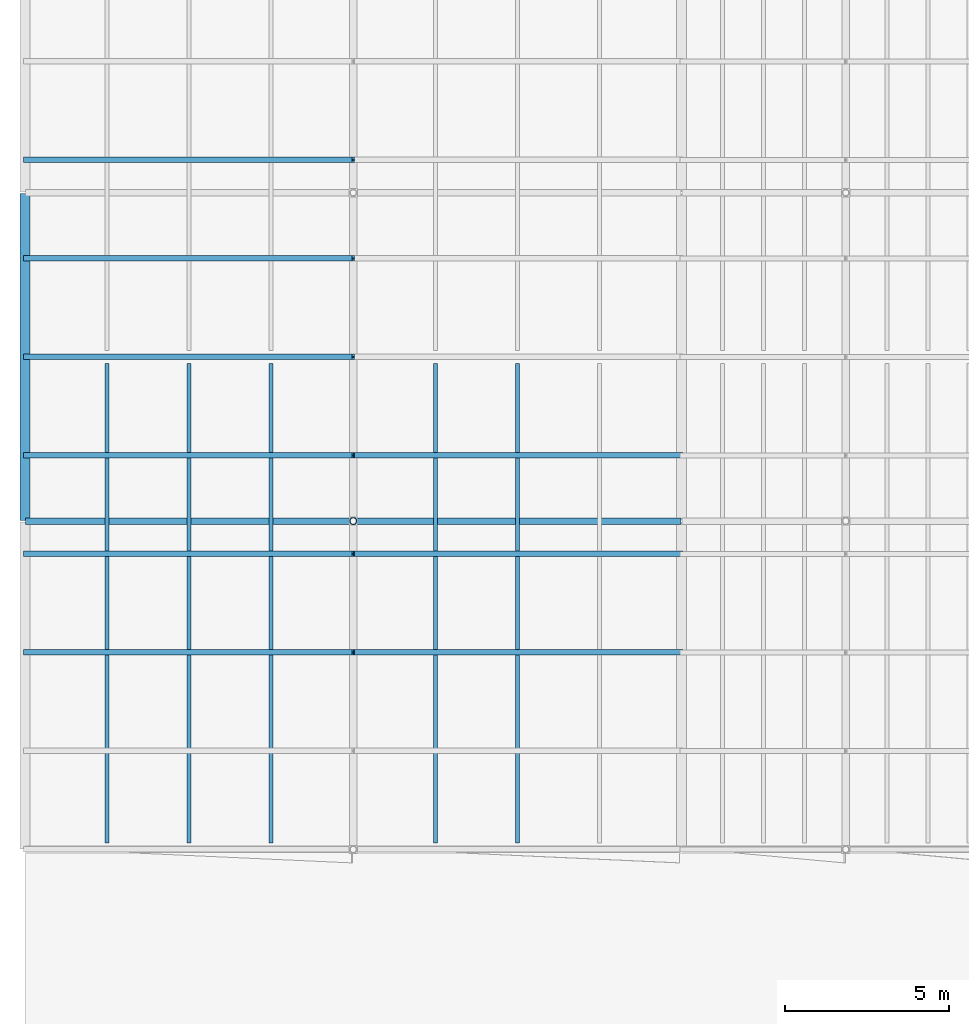
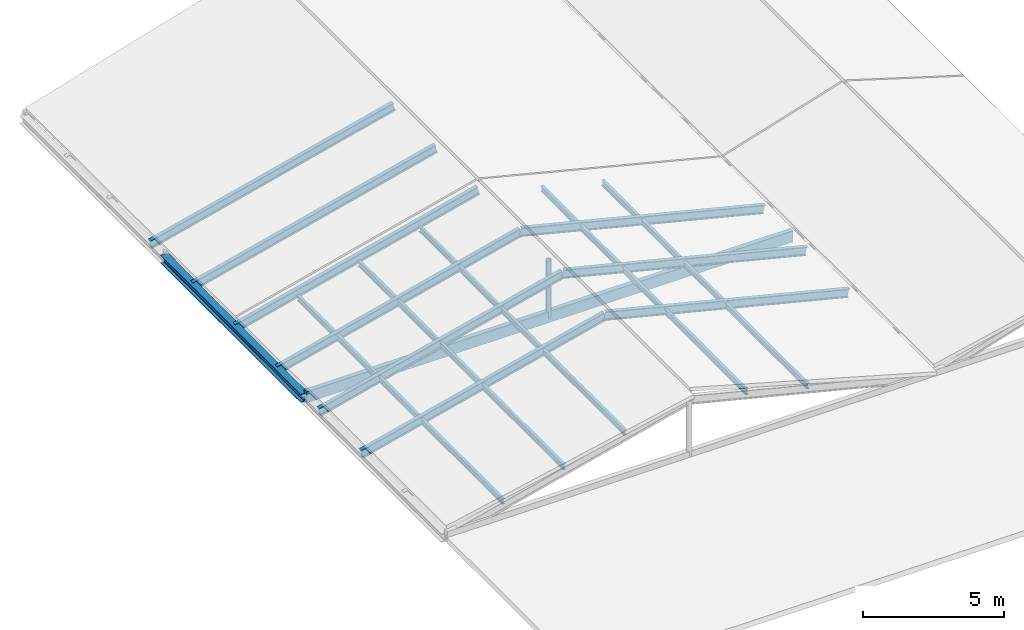
# One storey, part 2 of 90: 15 members, 2 beams.
"""IFC4 building model written with IfcOpenShell, lengths in metres."""

from ifc_helpers import new_model, si_unit, direction, frame, origin, origin_2d, place, context, subcontext, project, spatial, rectangle, hollow_circle, i_section, extrude, material, material_profile, profile_set, type_object, element, save


model = new_model("IFC4")

# Units and contexts
model_context = context("Model", 3, precision=1e-05, world=origin(), true_north=direction((0.0, 1.0)))
body_context = subcontext(model_context, "Body", "Model", "MODEL_VIEW")
ifc_project = project(units=[si_unit("LENGTHUNIT", "METRE"), si_unit("AREAUNIT", "SQUARE_METRE"), si_unit("VOLUMEUNIT", "CUBIC_METRE"), si_unit("PLANEANGLEUNIT", "RADIAN"), si_unit("MASSUNIT", "GRAM", prefix="KILO"), si_unit("THERMODYNAMICTEMPERATUREUNIT", "KELVIN"), si_unit("POWERUNIT", "WATT")], contexts=[model_context])

# Site, building, storey
site_placement = place(None, origin())
site = spatial("IfcSite", under=ifc_project, at=site_placement, CompositionType="ELEMENT")
building_placement = place(site_placement, origin())
building = spatial("IfcBuilding", under=site, at=building_placement, Name="Korenveer Ferry Terminal", CompositionType="ELEMENT")
storey_placement = place(building_placement, frame((0.0, 0.0, 22.199951171875)))
storey = spatial("IfcBuildingStorey", under=building, at=storey_placement, Name="RF", CompositionType="ELEMENT", Elevation=22.199951171875)

# Beam
ifc_material_1 = material(Name="Steel S355", Category="steel")
ifc_material_profile_1 = material_profile(ifc_material_1, i_section(OverallWidth=0.300048828125, OverallDepth=0.360107421875, WebThickness=0.012451171875, FlangeThickness=0.0224609375, FilletRadius=0.027099609375, at=origin_2d()), Name="HEB 360")
ifc_profile_set_1 = profile_set([ifc_material_profile_1], Name="Steel S355")
beam_type_1 = type_object("IfcBeamType", Name="STR-BM-HEB360", PredefinedType="BEAM", material=ifc_profile_set_1)
beam_1_placement = place(storey_placement, frame((0.0, 40.02001953125, 0.179931640625), z_axis=(0.0, 1.0, 0.0), x_axis=(-1.0, 0.0, 0.0)))
element("IfcBeam", 1, at=beam_1_placement, inside=storey, type_object=beam_type_1, Name="Wing eave beam WEST 173", PredefinedType="BEAM", context=body_context, shape_type="SweptSolid", body=[
    extrude(i_section(OverallWidth=0.300048828125, OverallDepth=0.360107421875, WebThickness=0.012451171875, FlangeThickness=0.0224609375, FilletRadius=0.027099609375, at=origin_2d()), origin(), (0.0, 0.0, 1.0), 9.9599609375),
])

# Members
ifc_material_profile_2 = material_profile(ifc_material_1, i_section(OverallWidth=0.1201171875, OverallDepth=0.239990234375, WebThickness=0.006103515625, FlangeThickness=0.009765625, FilletRadius=0.014892578125, at=origin_2d()), Name="IPE 240")
ifc_profile_set_2 = profile_set([ifc_material_profile_2], Name="Steel S355")
member_type_1 = type_object("IfcMemberType", Name="STR-PUR-IPE240", PredefinedType="PURLIN", material=ifc_profile_set_2)
for number, where, z_axis, x_axis, name in (
    (2, (2.5, 30.199951171875, 0.7451171875), (0.0, 1.0, 0.0), (-1.0, 0.0, 0.0), "Pitched wing roof steel purlin 277"),
    (3, (5.0, 30.199951171875, 1.3701171875), (0.0, 1.0, 0.0), (-1.0, 0.0, 0.0), "Pitched wing roof steel purlin 279"),
    (4, (7.5, 30.199951171875, 1.9951171875), (0.0, 1.0, 0.0), (-1.0, 0.0, 0.0), "Pitched wing roof steel purlin 281"),
    (5, (12.5, 30.199951171875, 1.9951171875), (0.0, 1.0, 0.0), (-1.0, 0.0, 0.0), "Pitched wing roof steel purlin 283"),
    (6, (15.0, 30.199951171875, 1.3701171875), (0.0, 1.0, 0.0), (-1.0, 0.0, 0.0), "Pitched wing roof steel purlin 285"),
):
    element("IfcMember", number, at=place(storey_placement, frame(where, z_axis=z_axis, x_axis=x_axis)), inside=storey, type_object=member_type_1, Name=name, PredefinedType="PURLIN", context=body_context, shape_type="SweptSolid", body=[
        extrude(i_section(OverallWidth=0.1201171875, OverallDepth=0.239990234375, WebThickness=0.006103515625, FlangeThickness=0.009765625, FilletRadius=0.014892578125, at=origin_2d()), origin(), (0.0, 0.0, 1.0), 14.60009765625),
    ])
ifc_material_profile_3 = material_profile(ifc_material_1, i_section(OverallWidth=0.169921875, OverallDepth=0.360107421875, WebThickness=0.008056640625, FlangeThickness=0.0126953125, FilletRadius=0.01806640625, at=origin_2d()), Name="IPE 360")
ifc_profile_set_3 = profile_set([ifc_material_profile_3], Name="Steel S355")
member_type_2 = type_object("IfcMemberType", Name="STR-RAF-IPE360", PredefinedType="RAFTER", material=ifc_profile_set_3)
for number, where, z_axis, x_axis, name in (
    (7, (0.0, 36.0, 0.179931640625), (0.970142500145, 0.0, 0.242535625036), (0.0, 1.0, 0.0), "Pitched roof rafter 89"),
    (8, (10.0, 36.0, 2.679931640625), (0.970142500145, 0.0, -0.242535625036), (0.0, 1.0, 0.0), "Pitched roof rafter 90"),
    (9, (0.0, 39.0, 0.179931640625), (0.970142500145, 0.0, 0.242535625036), (0.0, 1.0, 0.0), "Pitched roof rafter 91"),
    (10, (10.0, 39.0, 2.679931640625), (0.970142500145, 0.0, -0.242535625036), (0.0, 1.0, 0.0), "Pitched roof rafter 92"),
    (11, (0.0, 42.0, 0.179931640625), (0.970142500145, 0.0, 0.242535625036), (0.0, 1.0, 0.0), "Pitched roof rafter 93"),
    (12, (10.0, 42.0, 2.679931640625), (0.970142500145, 0.0, -0.242535625036), (0.0, 1.0, 0.0), "Pitched roof rafter 94"),
    (13, (0.0, 45.0, 0.179931640625), (0.970142500145, 0.0, 0.242535625036), (0.0, 1.0, 0.0), "Pitched roof rafter 95"),
    (14, (0.0, 48.0, 0.179931640625), (0.970142500145, 0.0, 0.242535625036), (0.0, 1.0, 0.0), "Pitched roof rafter 97"),
    (15, (0.0, 51.0, 0.179931640625), (0.970142500145, 0.0, 0.242535625036), (0.0, 1.0, 0.0), "Pitched roof rafter 99"),
):
    element("IfcMember", number, at=place(storey_placement, frame(where, z_axis=z_axis, x_axis=x_axis)), inside=storey, type_object=member_type_2, Name=name, PredefinedType="RAFTER", context=body_context, shape_type="SweptSolid", body=[
        extrude(i_section(OverallWidth=0.169921875, OverallDepth=0.360107421875, WebThickness=0.008056640625, FlangeThickness=0.0126953125, FilletRadius=0.01806640625, at=origin_2d()), origin(), (0.0, 0.0, 1.0), 10.307861328125),
    ])

# Beam
ifc_material_2 = material(Name="Glulam GL28h", Category="wood")
ifc_material_profile_4 = material_profile(ifc_material_2, rectangle(XDim=0.199951171875, YDim=0.47998046875, at=origin_2d()), Name="GL 200x480")
ifc_profile_set_4 = profile_set([ifc_material_profile_4], Name="Glulam GL28h")
beam_type_2 = type_object("IfcBeamType", Name="STR-RFG-GL200", PredefinedType="USERDEFINED", material=ifc_profile_set_4)
beam_2_placement = place(storey_placement, frame((0.02001953125, 40.0, 0.239990234375), z_axis=(1.0, 0.0, 0.0), x_axis=(0.0, 1.0, 0.0)))
element("IfcBeam", 16, at=beam_2_placement, inside=storey, type_object=beam_type_2, Name="Wing roof collar tie WEST 180", ObjectType="ROOF GIRDER", PredefinedType="USERDEFINED", context=body_context, shape_type="SweptSolid", body=[
    extrude(rectangle(XDim=0.199951171875, YDim=0.47998046875, at=origin_2d()), origin(), (0.0, 0.0, 1.0), 19.9599609375),
])

# Member
ifc_material_profile_5 = material_profile(ifc_material_1, hollow_circle(Radius=0.109619140625, WallThickness=0.012451171875, at=origin_2d()), Name="CHS 219.1x12.5")
ifc_profile_set_5 = profile_set([ifc_material_profile_5], Name="Steel S355")
member_type_3 = type_object("IfcMemberType", Name="STR-STT-CHS219", PredefinedType="STRUT", material=ifc_profile_set_5)
member_placement = place(storey_placement, frame((10.0, 40.0, 0.179931640625), z_axis=(0.0, 0.0, 1.0), x_axis=(1.0, 0.0, 0.0)))
element("IfcMember", 17, at=member_placement, inside=storey, type_object=member_type_3, Name="Wing ridge strut STTWR-WEST-Y40", PredefinedType="STRUT", context=body_context, shape_type="SweptSolid", body=[
    extrude(hollow_circle(Radius=0.109619140625, WallThickness=0.012451171875, at=origin_2d()), origin(), (0.0, 0.0, 1.0), 2.5),
])

save(model, "model.ifc")
